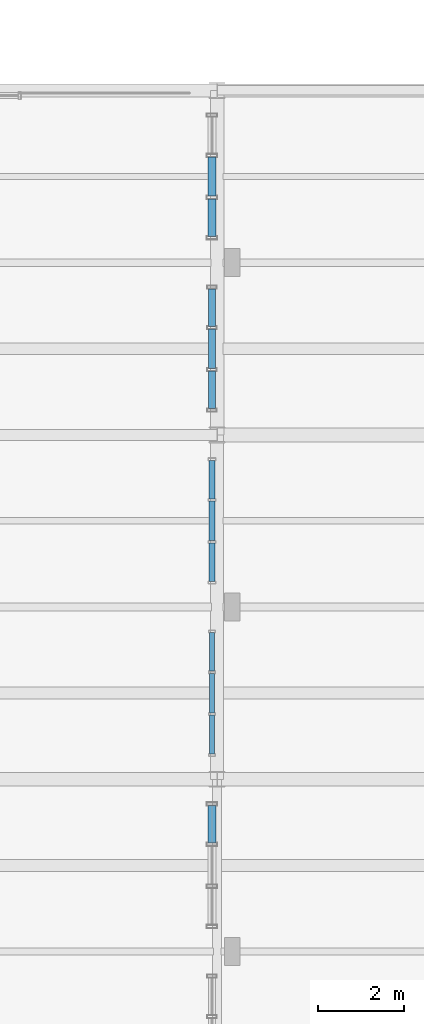
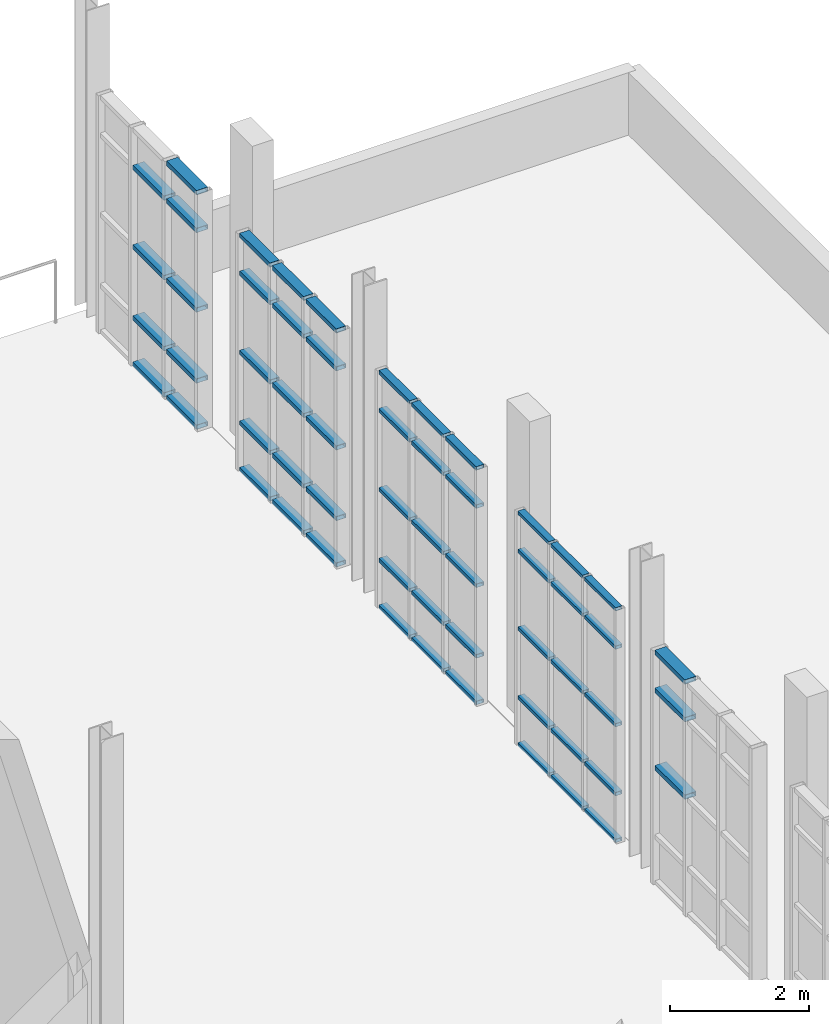
# One storey, part 101 of 142: 57 members, 5 elements without a shape of their own.
"""IFC4 building model written with IfcOpenShell, lengths in metres."""

from ifc_helpers import new_model, si_unit, direction, frame, origin, origin_2d, place, context, subcontext, project, spatial, hollow_rectangle, extrude, material, layer, layer_set, material_profile, profile_set, type_object, element, aggregate, save


model = new_model("IFC4")

# Units and contexts
model_context = context("Model", 3, precision=1e-05, world=origin(), true_north=direction((0.0, 1.0)))
body_context = subcontext(model_context, "Body", "Model", "MODEL_VIEW")
ifc_project = project(units=[si_unit("LENGTHUNIT", "METRE"), si_unit("AREAUNIT", "SQUARE_METRE"), si_unit("VOLUMEUNIT", "CUBIC_METRE"), si_unit("PLANEANGLEUNIT", "RADIAN"), si_unit("MASSUNIT", "GRAM", prefix="KILO"), si_unit("THERMODYNAMICTEMPERATUREUNIT", "KELVIN"), si_unit("POWERUNIT", "WATT")], contexts=[model_context])

# Site, building, storey
site_placement = place(None, origin())
site = spatial("IfcSite", under=ifc_project, at=site_placement, CompositionType="ELEMENT")
building_placement = place(site_placement, origin())
building = spatial("IfcBuilding", under=site, at=building_placement, Name="Zelmaris Science Centre", CompositionType="ELEMENT")
storey_placement = place(building_placement, frame((0.0, 0.0, 5.39990234375)))
storey = spatial("IfcBuildingStorey", under=building, at=storey_placement, Name="L01", CompositionType="ELEMENT", Elevation=5.39990234375)

# Curtain wall, members
ifc_material = material(Name="Anodised architectural aluminium 6063-T6", Category="aluminium")
ifc_layer_1 = layer(ifc_material, 0.219970703125, Name="Anodised architectural aluminium 6063-T6")
ifc_layer_set_1 = layer_set([ifc_layer_1], Name="Anodised architectural aluminium 6063-T6")
curtain_wall_type_1 = type_object("IfcCurtainWallType", Name="Curtain Wall CW-04", PredefinedType="USERDEFINED", material=ifc_layer_set_1)
curtain_wall_1_placement = place(storey_placement, origin())
curtain_wall_1 = element("IfcCurtainWall", 1, at=curtain_wall_1_placement, inside=storey, type_object=curtain_wall_type_1, Name="L01 Unitised curtain wall 152", ObjectType="GLAZED CURTAIN WALL", PredefinedType="USERDEFINED")
ifc_material_profile_1 = material_profile(ifc_material, hollow_rectangle(XDim=0.06005859375, YDim=0.110107421875, WallThickness=0.0029296875, at=origin_2d()), Name="ALU-TRN-60X110")
ifc_profile_set_1 = profile_set([ifc_material_profile_1], Name="Anodised architectural aluminium 6063-T6")
member_type_1 = type_object("IfcMemberType", Name="ALU-TRN-60X110", PredefinedType="USERDEFINED", material=ifc_profile_set_1)
member_1_placement = place(storey_placement, frame((143.8798828125, 43.407958984375, 0.010986328125), z_axis=(0.0, -1.0, 0.0), x_axis=(0.0, 0.0, 1.0)))
member_1 = element("IfcMember", 2, at=member_1_placement, type_object=member_type_1, Name="CW-04 transom 1.1", ObjectType="TRANSOM", PredefinedType="USERDEFINED", context=body_context, shape_type="SweptSolid", body=[
    extrude(hollow_rectangle(XDim=0.06005859375, YDim=0.110107421875, WallThickness=0.0029296875, at=origin_2d()), origin(), (0.0, 0.0, 1.0), 0.895263671875),
])
member_2_placement = place(storey_placement, frame((143.8798828125, 43.407958984375, 0.835205078125), z_axis=(0.0, -1.0, 0.0), x_axis=(0.0, 0.0, 1.0)))
member_2 = element("IfcMember", 3, at=member_2_placement, type_object=member_type_1, Name="CW-04 transom 1.2", ObjectType="TRANSOM", PredefinedType="USERDEFINED", context=body_context, shape_type="SweptSolid", body=[
    extrude(hollow_rectangle(XDim=0.06005859375, YDim=0.110107421875, WallThickness=0.0029296875, at=origin_2d()), origin(), (0.0, 0.0, 1.0), 0.895263671875),
])
member_3_placement = place(storey_placement, frame((143.8798828125, 43.407958984375, 2.049560546875), z_axis=(0.0, -1.0, 0.0), x_axis=(0.0, 0.0, 1.0)))
member_3 = element("IfcMember", 4, at=member_3_placement, type_object=member_type_1, Name="CW-04 transom 1.3", ObjectType="TRANSOM", PredefinedType="USERDEFINED", context=body_context, shape_type="SweptSolid", body=[
    extrude(hollow_rectangle(XDim=0.06005859375, YDim=0.110107421875, WallThickness=0.0029296875, at=origin_2d()), origin(), (0.0, 0.0, 1.0), 0.895263671875),
])
member_4_placement = place(storey_placement, frame((143.8798828125, 43.407958984375, 3.4140625), z_axis=(0.0, -1.0, 0.0), x_axis=(0.0, 0.0, 1.0)))
member_4 = element("IfcMember", 5, at=member_4_placement, type_object=member_type_1, Name="CW-04 transom 1.4", ObjectType="TRANSOM", PredefinedType="USERDEFINED", context=body_context, shape_type="SweptSolid", body=[
    extrude(hollow_rectangle(XDim=0.06005859375, YDim=0.110107421875, WallThickness=0.0029296875, at=origin_2d()), origin(), (0.0, 0.0, 1.0), 0.895263671875),
])
member_5_placement = place(storey_placement, frame((143.8798828125, 43.407958984375, 4.088134765625), z_axis=(0.0, -1.0, 0.0), x_axis=(0.0, 0.0, 1.0)))
member_5 = element("IfcMember", 6, at=member_5_placement, type_object=member_type_1, Name="CW-04 transom 1.5", ObjectType="TRANSOM", PredefinedType="USERDEFINED", context=body_context, shape_type="SweptSolid", body=[
    extrude(hollow_rectangle(XDim=0.06005859375, YDim=0.110107421875, WallThickness=0.0029296875, at=origin_2d()), origin(), (0.0, 0.0, 1.0), 0.895263671875),
])
member_6_placement = place(storey_placement, frame((143.8798828125, 42.460693359375, 0.010986328125), z_axis=(0.0, -1.0, 0.0), x_axis=(0.0, 0.0, 1.0)))
member_6 = element("IfcMember", 7, at=member_6_placement, type_object=member_type_1, Name="CW-04 transom 2.1", ObjectType="TRANSOM", PredefinedType="USERDEFINED", context=body_context, shape_type="SweptSolid", body=[
    extrude(hollow_rectangle(XDim=0.06005859375, YDim=0.110107421875, WallThickness=0.0029296875, at=origin_2d()), origin(), (0.0, 0.0, 1.0), 0.92138671875),
])
member_7_placement = place(storey_placement, frame((143.8798828125, 42.460693359375, 0.835205078125), z_axis=(0.0, -1.0, 0.0), x_axis=(0.0, 0.0, 1.0)))
member_7 = element("IfcMember", 8, at=member_7_placement, type_object=member_type_1, Name="CW-04 transom 2.2", ObjectType="TRANSOM", PredefinedType="USERDEFINED", context=body_context, shape_type="SweptSolid", body=[
    extrude(hollow_rectangle(XDim=0.06005859375, YDim=0.110107421875, WallThickness=0.0029296875, at=origin_2d()), origin(), (0.0, 0.0, 1.0), 0.92138671875),
])
member_8_placement = place(storey_placement, frame((143.8798828125, 42.460693359375, 2.049560546875), z_axis=(0.0, -1.0, 0.0), x_axis=(0.0, 0.0, 1.0)))
member_8 = element("IfcMember", 9, at=member_8_placement, type_object=member_type_1, Name="CW-04 transom 2.3", ObjectType="TRANSOM", PredefinedType="USERDEFINED", context=body_context, shape_type="SweptSolid", body=[
    extrude(hollow_rectangle(XDim=0.06005859375, YDim=0.110107421875, WallThickness=0.0029296875, at=origin_2d()), origin(), (0.0, 0.0, 1.0), 0.92138671875),
])
member_9_placement = place(storey_placement, frame((143.8798828125, 42.460693359375, 3.4140625), z_axis=(0.0, -1.0, 0.0), x_axis=(0.0, 0.0, 1.0)))
member_9 = element("IfcMember", 10, at=member_9_placement, type_object=member_type_1, Name="CW-04 transom 2.4", ObjectType="TRANSOM", PredefinedType="USERDEFINED", context=body_context, shape_type="SweptSolid", body=[
    extrude(hollow_rectangle(XDim=0.06005859375, YDim=0.110107421875, WallThickness=0.0029296875, at=origin_2d()), origin(), (0.0, 0.0, 1.0), 0.92138671875),
])
member_10_placement = place(storey_placement, frame((143.8798828125, 42.460693359375, 4.088134765625), z_axis=(0.0, -1.0, 0.0), x_axis=(0.0, 0.0, 1.0)))
member_10 = element("IfcMember", 11, at=member_10_placement, type_object=member_type_1, Name="CW-04 transom 2.5", ObjectType="TRANSOM", PredefinedType="USERDEFINED", context=body_context, shape_type="SweptSolid", body=[
    extrude(hollow_rectangle(XDim=0.06005859375, YDim=0.110107421875, WallThickness=0.0029296875, at=origin_2d()), origin(), (0.0, 0.0, 1.0), 0.92138671875),
])
member_11_placement = place(storey_placement, frame((143.8798828125, 41.4873046875, 0.010986328125), z_axis=(0.0, -1.0, 0.0), x_axis=(0.0, 0.0, 1.0)))
member_11 = element("IfcMember", 12, at=member_11_placement, type_object=member_type_1, Name="CW-04 transom 3.1", ObjectType="TRANSOM", PredefinedType="USERDEFINED", context=body_context, shape_type="SweptSolid", body=[
    extrude(hollow_rectangle(XDim=0.06005859375, YDim=0.110107421875, WallThickness=0.0029296875, at=origin_2d()), origin(), (0.0, 0.0, 1.0), 0.895263671875),
])
member_12_placement = place(storey_placement, frame((143.8798828125, 41.4873046875, 0.835205078125), z_axis=(0.0, -1.0, 0.0), x_axis=(0.0, 0.0, 1.0)))
member_12 = element("IfcMember", 13, at=member_12_placement, type_object=member_type_1, Name="CW-04 transom 3.2", ObjectType="TRANSOM", PredefinedType="USERDEFINED", context=body_context, shape_type="SweptSolid", body=[
    extrude(hollow_rectangle(XDim=0.06005859375, YDim=0.110107421875, WallThickness=0.0029296875, at=origin_2d()), origin(), (0.0, 0.0, 1.0), 0.895263671875),
])
member_13_placement = place(storey_placement, frame((143.8798828125, 41.4873046875, 2.049560546875), z_axis=(0.0, -1.0, 0.0), x_axis=(0.0, 0.0, 1.0)))
member_13 = element("IfcMember", 14, at=member_13_placement, type_object=member_type_1, Name="CW-04 transom 3.3", ObjectType="TRANSOM", PredefinedType="USERDEFINED", context=body_context, shape_type="SweptSolid", body=[
    extrude(hollow_rectangle(XDim=0.06005859375, YDim=0.110107421875, WallThickness=0.0029296875, at=origin_2d()), origin(), (0.0, 0.0, 1.0), 0.895263671875),
])
member_14_placement = place(storey_placement, frame((143.8798828125, 41.4873046875, 3.4140625), z_axis=(0.0, -1.0, 0.0), x_axis=(0.0, 0.0, 1.0)))
member_14 = element("IfcMember", 15, at=member_14_placement, type_object=member_type_1, Name="CW-04 transom 3.4", ObjectType="TRANSOM", PredefinedType="USERDEFINED", context=body_context, shape_type="SweptSolid", body=[
    extrude(hollow_rectangle(XDim=0.06005859375, YDim=0.110107421875, WallThickness=0.0029296875, at=origin_2d()), origin(), (0.0, 0.0, 1.0), 0.895263671875),
])
member_15_placement = place(storey_placement, frame((143.8798828125, 41.4873046875, 4.088134765625), z_axis=(0.0, -1.0, 0.0), x_axis=(0.0, 0.0, 1.0)))
member_15 = element("IfcMember", 16, at=member_15_placement, type_object=member_type_1, Name="CW-04 transom 3.5", ObjectType="TRANSOM", PredefinedType="USERDEFINED", context=body_context, shape_type="SweptSolid", body=[
    extrude(hollow_rectangle(XDim=0.06005859375, YDim=0.110107421875, WallThickness=0.0029296875, at=origin_2d()), origin(), (0.0, 0.0, 1.0), 0.895263671875),
])
aggregate(curtain_wall_1, [member_1, member_2, member_3, member_4, member_5, member_6, member_7, member_8, member_9, member_10, member_11, member_12, member_13, member_14, member_15])

ifc_layer_2 = layer(ifc_material, 0.2099609375, Name="Anodised architectural aluminium 6063-T6")
ifc_layer_set_2 = layer_set([ifc_layer_2], Name="Anodised architectural aluminium 6063-T6")
curtain_wall_type_2 = type_object("IfcCurtainWallType", Name="Curtain Wall CW-03", PredefinedType="USERDEFINED", material=ifc_layer_set_2)
curtain_wall_2_placement = place(storey_placement, origin())
curtain_wall_2 = element("IfcCurtainWall", 17, at=curtain_wall_2_placement, inside=storey, type_object=curtain_wall_type_2, Name="L01 Unitised curtain wall 151", ObjectType="GLAZED CURTAIN WALL", PredefinedType="USERDEFINED")
ifc_material_profile_2 = material_profile(ifc_material, hollow_rectangle(XDim=0.06494140625, YDim=0.1298828125, WallThickness=0.00341796875, at=origin_2d()), Name="ALU-TRN-65X130")
ifc_profile_set_2 = profile_set([ifc_material_profile_2], Name="Anodised architectural aluminium 6063-T6")
member_type_2 = type_object("IfcMemberType", Name="ALU-TRN-65X130", PredefinedType="USERDEFINED", material=ifc_profile_set_2)
member_16_placement = place(storey_placement, frame((143.8798828125, 47.403076171875, 0.013671875), z_axis=(0.0, -1.0, 0.0), x_axis=(0.0, 0.0, 1.0)))
member_16 = element("IfcMember", 18, at=member_16_placement, type_object=member_type_2, Name="CW-03 transom 1.1", ObjectType="TRANSOM", PredefinedType="USERDEFINED", context=body_context, shape_type="SweptSolid", body=[
    extrude(hollow_rectangle(XDim=0.06494140625, YDim=0.1298828125, WallThickness=0.00341796875, at=origin_2d()), origin(), (0.0, 0.0, 1.0), 0.887939453125),
])
member_17_placement = place(storey_placement, frame((143.8798828125, 47.403076171875, 0.835205078125), z_axis=(0.0, -1.0, 0.0), x_axis=(0.0, 0.0, 1.0)))
member_17 = element("IfcMember", 19, at=member_17_placement, type_object=member_type_2, Name="CW-03 transom 1.2", ObjectType="TRANSOM", PredefinedType="USERDEFINED", context=body_context, shape_type="SweptSolid", body=[
    extrude(hollow_rectangle(XDim=0.06494140625, YDim=0.1298828125, WallThickness=0.00341796875, at=origin_2d()), origin(), (0.0, 0.0, 1.0), 0.887939453125),
])
member_18_placement = place(storey_placement, frame((143.8798828125, 47.403076171875, 2.0791015625), z_axis=(0.0, -1.0, 0.0), x_axis=(0.0, 0.0, 1.0)))
member_18 = element("IfcMember", 20, at=member_18_placement, type_object=member_type_2, Name="CW-03 transom 1.3", ObjectType="TRANSOM", PredefinedType="USERDEFINED", context=body_context, shape_type="SweptSolid", body=[
    extrude(hollow_rectangle(XDim=0.06494140625, YDim=0.1298828125, WallThickness=0.00341796875, at=origin_2d()), origin(), (0.0, 0.0, 1.0), 0.887939453125),
])
member_19_placement = place(storey_placement, frame((143.8798828125, 47.403076171875, 3.47314453125), z_axis=(0.0, -1.0, 0.0), x_axis=(0.0, 0.0, 1.0)))
member_19 = element("IfcMember", 21, at=member_19_placement, type_object=member_type_2, Name="CW-03 transom 1.4", ObjectType="TRANSOM", PredefinedType="USERDEFINED", context=body_context, shape_type="SweptSolid", body=[
    extrude(hollow_rectangle(XDim=0.06494140625, YDim=0.1298828125, WallThickness=0.00341796875, at=origin_2d()), origin(), (0.0, 0.0, 1.0), 0.887939453125),
])
member_20_placement = place(storey_placement, frame((143.8798828125, 47.403076171875, 4.14453125), z_axis=(0.0, -1.0, 0.0), x_axis=(0.0, 0.0, 1.0)))
member_20 = element("IfcMember", 22, at=member_20_placement, type_object=member_type_2, Name="CW-03 transom 1.5", ObjectType="TRANSOM", PredefinedType="USERDEFINED", context=body_context, shape_type="SweptSolid", body=[
    extrude(hollow_rectangle(XDim=0.06494140625, YDim=0.1298828125, WallThickness=0.00341796875, at=origin_2d()), origin(), (0.0, 0.0, 1.0), 0.887939453125),
])
member_21_placement = place(storey_placement, frame((143.8798828125, 46.458251953125, 0.013671875), z_axis=(0.0, -1.0, 0.0), x_axis=(0.0, 0.0, 1.0)))
member_21 = element("IfcMember", 23, at=member_21_placement, type_object=member_type_2, Name="CW-03 transom 2.1", ObjectType="TRANSOM", PredefinedType="USERDEFINED", context=body_context, shape_type="SweptSolid", body=[
    extrude(hollow_rectangle(XDim=0.06494140625, YDim=0.1298828125, WallThickness=0.00341796875, at=origin_2d()), origin(), (0.0, 0.0, 1.0), 0.91650390625),
])
member_22_placement = place(storey_placement, frame((143.8798828125, 46.458251953125, 0.835205078125), z_axis=(0.0, -1.0, 0.0), x_axis=(0.0, 0.0, 1.0)))
member_22 = element("IfcMember", 24, at=member_22_placement, type_object=member_type_2, Name="CW-03 transom 2.2", ObjectType="TRANSOM", PredefinedType="USERDEFINED", context=body_context, shape_type="SweptSolid", body=[
    extrude(hollow_rectangle(XDim=0.06494140625, YDim=0.1298828125, WallThickness=0.00341796875, at=origin_2d()), origin(), (0.0, 0.0, 1.0), 0.91650390625),
])
member_23_placement = place(storey_placement, frame((143.8798828125, 46.458251953125, 2.0791015625), z_axis=(0.0, -1.0, 0.0), x_axis=(0.0, 0.0, 1.0)))
member_23 = element("IfcMember", 25, at=member_23_placement, type_object=member_type_2, Name="CW-03 transom 2.3", ObjectType="TRANSOM", PredefinedType="USERDEFINED", context=body_context, shape_type="SweptSolid", body=[
    extrude(hollow_rectangle(XDim=0.06494140625, YDim=0.1298828125, WallThickness=0.00341796875, at=origin_2d()), origin(), (0.0, 0.0, 1.0), 0.91650390625),
])
member_24_placement = place(storey_placement, frame((143.8798828125, 46.458251953125, 3.47314453125), z_axis=(0.0, -1.0, 0.0), x_axis=(0.0, 0.0, 1.0)))
member_24 = element("IfcMember", 26, at=member_24_placement, type_object=member_type_2, Name="CW-03 transom 2.4", ObjectType="TRANSOM", PredefinedType="USERDEFINED", context=body_context, shape_type="SweptSolid", body=[
    extrude(hollow_rectangle(XDim=0.06494140625, YDim=0.1298828125, WallThickness=0.00341796875, at=origin_2d()), origin(), (0.0, 0.0, 1.0), 0.91650390625),
])
member_25_placement = place(storey_placement, frame((143.8798828125, 46.458251953125, 4.14453125), z_axis=(0.0, -1.0, 0.0), x_axis=(0.0, 0.0, 1.0)))
member_25 = element("IfcMember", 27, at=member_25_placement, type_object=member_type_2, Name="CW-03 transom 2.5", ObjectType="TRANSOM", PredefinedType="USERDEFINED", context=body_context, shape_type="SweptSolid", body=[
    extrude(hollow_rectangle(XDim=0.06494140625, YDim=0.1298828125, WallThickness=0.00341796875, at=origin_2d()), origin(), (0.0, 0.0, 1.0), 0.91650390625),
])
member_26_placement = place(storey_placement, frame((143.8798828125, 45.48486328125, 0.013671875), z_axis=(0.0, -1.0, 0.0), x_axis=(0.0, 0.0, 1.0)))
member_26 = element("IfcMember", 28, at=member_26_placement, type_object=member_type_2, Name="CW-03 transom 3.1", ObjectType="TRANSOM", PredefinedType="USERDEFINED", context=body_context, shape_type="SweptSolid", body=[
    extrude(hollow_rectangle(XDim=0.06494140625, YDim=0.1298828125, WallThickness=0.00341796875, at=origin_2d()), origin(), (0.0, 0.0, 1.0), 0.887939453125),
])
member_27_placement = place(storey_placement, frame((143.8798828125, 45.48486328125, 0.835205078125), z_axis=(0.0, -1.0, 0.0), x_axis=(0.0, 0.0, 1.0)))
member_27 = element("IfcMember", 29, at=member_27_placement, type_object=member_type_2, Name="CW-03 transom 3.2", ObjectType="TRANSOM", PredefinedType="USERDEFINED", context=body_context, shape_type="SweptSolid", body=[
    extrude(hollow_rectangle(XDim=0.06494140625, YDim=0.1298828125, WallThickness=0.00341796875, at=origin_2d()), origin(), (0.0, 0.0, 1.0), 0.887939453125),
])
member_28_placement = place(storey_placement, frame((143.8798828125, 45.48486328125, 2.0791015625), z_axis=(0.0, -1.0, 0.0), x_axis=(0.0, 0.0, 1.0)))
member_28 = element("IfcMember", 30, at=member_28_placement, type_object=member_type_2, Name="CW-03 transom 3.3", ObjectType="TRANSOM", PredefinedType="USERDEFINED", context=body_context, shape_type="SweptSolid", body=[
    extrude(hollow_rectangle(XDim=0.06494140625, YDim=0.1298828125, WallThickness=0.00341796875, at=origin_2d()), origin(), (0.0, 0.0, 1.0), 0.887939453125),
])
member_29_placement = place(storey_placement, frame((143.8798828125, 45.48486328125, 3.47314453125), z_axis=(0.0, -1.0, 0.0), x_axis=(0.0, 0.0, 1.0)))
member_29 = element("IfcMember", 31, at=member_29_placement, type_object=member_type_2, Name="CW-03 transom 3.4", ObjectType="TRANSOM", PredefinedType="USERDEFINED", context=body_context, shape_type="SweptSolid", body=[
    extrude(hollow_rectangle(XDim=0.06494140625, YDim=0.1298828125, WallThickness=0.00341796875, at=origin_2d()), origin(), (0.0, 0.0, 1.0), 0.887939453125),
])
member_30_placement = place(storey_placement, frame((143.8798828125, 45.48486328125, 4.14453125), z_axis=(0.0, -1.0, 0.0), x_axis=(0.0, 0.0, 1.0)))
member_30 = element("IfcMember", 32, at=member_30_placement, type_object=member_type_2, Name="CW-03 transom 3.5", ObjectType="TRANSOM", PredefinedType="USERDEFINED", context=body_context, shape_type="SweptSolid", body=[
    extrude(hollow_rectangle(XDim=0.06494140625, YDim=0.1298828125, WallThickness=0.00341796875, at=origin_2d()), origin(), (0.0, 0.0, 1.0), 0.887939453125),
])
aggregate(curtain_wall_2, [member_16, member_17, member_18, member_19, member_20, member_21, member_22, member_23, member_24, member_25, member_26, member_27, member_28, member_29, member_30])

ifc_layer_3 = layer(ifc_material, 0.199951171875, Name="Anodised architectural aluminium 6063-T6")
ifc_layer_set_3 = layer_set([ifc_layer_3], Name="Anodised architectural aluminium 6063-T6")
curtain_wall_type_3 = type_object("IfcCurtainWallType", Name="Curtain Wall CW-02", PredefinedType="USERDEFINED", material=ifc_layer_set_3)
curtain_wall_3_placement = place(storey_placement, origin())
curtain_wall_3 = element("IfcCurtainWall", 33, at=curtain_wall_3_placement, inside=storey, type_object=curtain_wall_type_3, Name="L01 Unitised curtain wall 150", ObjectType="GLAZED CURTAIN WALL", PredefinedType="USERDEFINED")
ifc_material_profile_3 = material_profile(ifc_material, hollow_rectangle(XDim=0.074951171875, YDim=0.159912109375, WallThickness=0.00390625, at=origin_2d()), Name="ALU-TRN-75X160")
ifc_profile_set_3 = profile_set([ifc_material_profile_3], Name="Anodised architectural aluminium 6063-T6")
member_type_3 = type_object("IfcMemberType", Name="ALU-TRN-75X160", PredefinedType="USERDEFINED", material=ifc_profile_set_3)
member_31_placement = place(storey_placement, frame((143.8798828125, 51.39306640625, 0.0185546875), z_axis=(0.0, -1.0, 0.0), x_axis=(0.0, 0.0, 1.0)))
member_31 = element("IfcMember", 34, at=member_31_placement, type_object=member_type_3, Name="CW-02 transom 1.1", ObjectType="TRANSOM", PredefinedType="USERDEFINED", context=body_context, shape_type="SweptSolid", body=[
    extrude(hollow_rectangle(XDim=0.074951171875, YDim=0.159912109375, WallThickness=0.00390625, at=origin_2d()), origin(), (0.0, 0.0, 1.0), 0.872802734375),
])
member_32_placement = place(storey_placement, frame((143.8798828125, 51.39306640625, 0.835205078125), z_axis=(0.0, -1.0, 0.0), x_axis=(0.0, 0.0, 1.0)))
member_32 = element("IfcMember", 35, at=member_32_placement, type_object=member_type_3, Name="CW-02 transom 1.2", ObjectType="TRANSOM", PredefinedType="USERDEFINED", context=body_context, shape_type="SweptSolid", body=[
    extrude(hollow_rectangle(XDim=0.074951171875, YDim=0.159912109375, WallThickness=0.00390625, at=origin_2d()), origin(), (0.0, 0.0, 1.0), 0.872802734375),
])
member_33_placement = place(storey_placement, frame((143.8798828125, 51.39306640625, 2.0791015625), z_axis=(0.0, -1.0, 0.0), x_axis=(0.0, 0.0, 1.0)))
member_33 = element("IfcMember", 36, at=member_33_placement, type_object=member_type_3, Name="CW-02 transom 1.3", ObjectType="TRANSOM", PredefinedType="USERDEFINED", context=body_context, shape_type="SweptSolid", body=[
    extrude(hollow_rectangle(XDim=0.074951171875, YDim=0.159912109375, WallThickness=0.00390625, at=origin_2d()), origin(), (0.0, 0.0, 1.0), 0.872802734375),
])
member_34_placement = place(storey_placement, frame((143.8798828125, 51.39306640625, 3.47314453125), z_axis=(0.0, -1.0, 0.0), x_axis=(0.0, 0.0, 1.0)))
member_34 = element("IfcMember", 37, at=member_34_placement, type_object=member_type_3, Name="CW-02 transom 1.4", ObjectType="TRANSOM", PredefinedType="USERDEFINED", context=body_context, shape_type="SweptSolid", body=[
    extrude(hollow_rectangle(XDim=0.074951171875, YDim=0.159912109375, WallThickness=0.00390625, at=origin_2d()), origin(), (0.0, 0.0, 1.0), 0.872802734375),
])
member_35_placement = place(storey_placement, frame((143.8798828125, 51.39306640625, 4.1396484375), z_axis=(0.0, -1.0, 0.0), x_axis=(0.0, 0.0, 1.0)))
member_35 = element("IfcMember", 38, at=member_35_placement, type_object=member_type_3, Name="CW-02 transom 1.5", ObjectType="TRANSOM", PredefinedType="USERDEFINED", context=body_context, shape_type="SweptSolid", body=[
    extrude(hollow_rectangle(XDim=0.074951171875, YDim=0.159912109375, WallThickness=0.00390625, at=origin_2d()), origin(), (0.0, 0.0, 1.0), 0.872802734375),
])
member_36_placement = place(storey_placement, frame((143.8798828125, 50.453125, 0.0185546875), z_axis=(0.0, -1.0, 0.0), x_axis=(0.0, 0.0, 1.0)))
member_36 = element("IfcMember", 39, at=member_36_placement, type_object=member_type_3, Name="CW-02 transom 2.1", ObjectType="TRANSOM", PredefinedType="USERDEFINED", context=body_context, shape_type="SweptSolid", body=[
    extrude(hollow_rectangle(XDim=0.074951171875, YDim=0.159912109375, WallThickness=0.00390625, at=origin_2d()), origin(), (0.0, 0.0, 1.0), 0.90625),
])
member_37_placement = place(storey_placement, frame((143.8798828125, 50.453125, 0.835205078125), z_axis=(0.0, -1.0, 0.0), x_axis=(0.0, 0.0, 1.0)))
member_37 = element("IfcMember", 40, at=member_37_placement, type_object=member_type_3, Name="CW-02 transom 2.2", ObjectType="TRANSOM", PredefinedType="USERDEFINED", context=body_context, shape_type="SweptSolid", body=[
    extrude(hollow_rectangle(XDim=0.074951171875, YDim=0.159912109375, WallThickness=0.00390625, at=origin_2d()), origin(), (0.0, 0.0, 1.0), 0.90625),
])
member_38_placement = place(storey_placement, frame((143.8798828125, 50.453125, 2.0791015625), z_axis=(0.0, -1.0, 0.0), x_axis=(0.0, 0.0, 1.0)))
member_38 = element("IfcMember", 41, at=member_38_placement, type_object=member_type_3, Name="CW-02 transom 2.3", ObjectType="TRANSOM", PredefinedType="USERDEFINED", context=body_context, shape_type="SweptSolid", body=[
    extrude(hollow_rectangle(XDim=0.074951171875, YDim=0.159912109375, WallThickness=0.00390625, at=origin_2d()), origin(), (0.0, 0.0, 1.0), 0.90625),
])
member_39_placement = place(storey_placement, frame((143.8798828125, 50.453125, 3.47314453125), z_axis=(0.0, -1.0, 0.0), x_axis=(0.0, 0.0, 1.0)))
member_39 = element("IfcMember", 42, at=member_39_placement, type_object=member_type_3, Name="CW-02 transom 2.4", ObjectType="TRANSOM", PredefinedType="USERDEFINED", context=body_context, shape_type="SweptSolid", body=[
    extrude(hollow_rectangle(XDim=0.074951171875, YDim=0.159912109375, WallThickness=0.00390625, at=origin_2d()), origin(), (0.0, 0.0, 1.0), 0.90625),
])
member_40_placement = place(storey_placement, frame((143.8798828125, 50.453125, 4.1396484375), z_axis=(0.0, -1.0, 0.0), x_axis=(0.0, 0.0, 1.0)))
member_40 = element("IfcMember", 43, at=member_40_placement, type_object=member_type_3, Name="CW-02 transom 2.5", ObjectType="TRANSOM", PredefinedType="USERDEFINED", context=body_context, shape_type="SweptSolid", body=[
    extrude(hollow_rectangle(XDim=0.074951171875, YDim=0.159912109375, WallThickness=0.00390625, at=origin_2d()), origin(), (0.0, 0.0, 1.0), 0.90625),
])
member_41_placement = place(storey_placement, frame((143.8798828125, 49.479736328125, 0.0185546875), z_axis=(0.0, -1.0, 0.0), x_axis=(0.0, 0.0, 1.0)))
member_41 = element("IfcMember", 44, at=member_41_placement, type_object=member_type_3, Name="CW-02 transom 3.1", ObjectType="TRANSOM", PredefinedType="USERDEFINED", context=body_context, shape_type="SweptSolid", body=[
    extrude(hollow_rectangle(XDim=0.074951171875, YDim=0.159912109375, WallThickness=0.00390625, at=origin_2d()), origin(), (0.0, 0.0, 1.0), 0.872802734375),
])
member_42_placement = place(storey_placement, frame((143.8798828125, 49.479736328125, 0.835205078125), z_axis=(0.0, -1.0, 0.0), x_axis=(0.0, 0.0, 1.0)))
member_42 = element("IfcMember", 45, at=member_42_placement, type_object=member_type_3, Name="CW-02 transom 3.2", ObjectType="TRANSOM", PredefinedType="USERDEFINED", context=body_context, shape_type="SweptSolid", body=[
    extrude(hollow_rectangle(XDim=0.074951171875, YDim=0.159912109375, WallThickness=0.00390625, at=origin_2d()), origin(), (0.0, 0.0, 1.0), 0.872802734375),
])
member_43_placement = place(storey_placement, frame((143.8798828125, 49.479736328125, 2.0791015625), z_axis=(0.0, -1.0, 0.0), x_axis=(0.0, 0.0, 1.0)))
member_43 = element("IfcMember", 46, at=member_43_placement, type_object=member_type_3, Name="CW-02 transom 3.3", ObjectType="TRANSOM", PredefinedType="USERDEFINED", context=body_context, shape_type="SweptSolid", body=[
    extrude(hollow_rectangle(XDim=0.074951171875, YDim=0.159912109375, WallThickness=0.00390625, at=origin_2d()), origin(), (0.0, 0.0, 1.0), 0.872802734375),
])
member_44_placement = place(storey_placement, frame((143.8798828125, 49.479736328125, 3.47314453125), z_axis=(0.0, -1.0, 0.0), x_axis=(0.0, 0.0, 1.0)))
member_44 = element("IfcMember", 47, at=member_44_placement, type_object=member_type_3, Name="CW-02 transom 3.4", ObjectType="TRANSOM", PredefinedType="USERDEFINED", context=body_context, shape_type="SweptSolid", body=[
    extrude(hollow_rectangle(XDim=0.074951171875, YDim=0.159912109375, WallThickness=0.00390625, at=origin_2d()), origin(), (0.0, 0.0, 1.0), 0.872802734375),
])
member_45_placement = place(storey_placement, frame((143.8798828125, 49.479736328125, 4.1396484375), z_axis=(0.0, -1.0, 0.0), x_axis=(0.0, 0.0, 1.0)))
member_45 = element("IfcMember", 48, at=member_45_placement, type_object=member_type_3, Name="CW-02 transom 3.5", ObjectType="TRANSOM", PredefinedType="USERDEFINED", context=body_context, shape_type="SweptSolid", body=[
    extrude(hollow_rectangle(XDim=0.074951171875, YDim=0.159912109375, WallThickness=0.00390625, at=origin_2d()), origin(), (0.0, 0.0, 1.0), 0.872802734375),
])
aggregate(curtain_wall_3, [member_31, member_32, member_33, member_34, member_35, member_36, member_37, member_38, member_39, member_40, member_41, member_42, member_43, member_44, member_45])

ifc_layer_4 = layer(ifc_material, 0.18994140625, Name="Anodised architectural aluminium 6063-T6")
ifc_layer_set_4 = layer_set([ifc_layer_4], Name="Anodised architectural aluminium 6063-T6")
curtain_wall_type_4 = type_object("IfcCurtainWallType", Name="Curtain Wall CW-01", PredefinedType="USERDEFINED", material=ifc_layer_set_4)
curtain_wall_4_placement = place(storey_placement, origin())
curtain_wall_4 = element("IfcCurtainWall", 49, at=curtain_wall_4_placement, inside=storey, type_object=curtain_wall_type_4, Name="L01 Unitised curtain wall 149", ObjectType="GLAZED CURTAIN WALL", PredefinedType="USERDEFINED")
ifc_material_profile_4 = material_profile(ifc_material, hollow_rectangle(XDim=0.080078125, YDim=0.18994140625, WallThickness=0.00439453125, at=origin_2d()), Name="ALU-TRN-80X190")
ifc_profile_set_4 = profile_set([ifc_material_profile_4], Name="Anodised architectural aluminium 6063-T6")
member_type_4 = type_object("IfcMemberType", Name="ALU-TRN-80X190", PredefinedType="USERDEFINED", material=ifc_profile_set_4)
member_46_placement = place(storey_placement, frame((143.8798828125, 54.45068359375, 0.02099609375), z_axis=(0.0, -1.0, 0.0), x_axis=(0.0, 0.0, 1.0)))
member_46 = element("IfcMember", 50, at=member_46_placement, type_object=member_type_4, Name="CW-01 transom 2.1", ObjectType="TRANSOM", PredefinedType="USERDEFINED", context=body_context, shape_type="SweptSolid", body=[
    extrude(hollow_rectangle(XDim=0.080078125, YDim=0.18994140625, WallThickness=0.00439453125, at=origin_2d()), origin(), (0.0, 0.0, 1.0), 0.9013671875),
])
member_47_placement = place(storey_placement, frame((143.8798828125, 54.45068359375, 0.835205078125), z_axis=(0.0, -1.0, 0.0), x_axis=(0.0, 0.0, 1.0)))
member_47 = element("IfcMember", 51, at=member_47_placement, type_object=member_type_4, Name="CW-01 transom 2.2", ObjectType="TRANSOM", PredefinedType="USERDEFINED", context=body_context, shape_type="SweptSolid", body=[
    extrude(hollow_rectangle(XDim=0.080078125, YDim=0.18994140625, WallThickness=0.00439453125, at=origin_2d()), origin(), (0.0, 0.0, 1.0), 0.9013671875),
])
member_48_placement = place(storey_placement, frame((143.8798828125, 54.45068359375, 2.085693359375), z_axis=(0.0, -1.0, 0.0), x_axis=(0.0, 0.0, 1.0)))
member_48 = element("IfcMember", 52, at=member_48_placement, type_object=member_type_4, Name="CW-01 transom 2.3", ObjectType="TRANSOM", PredefinedType="USERDEFINED", context=body_context, shape_type="SweptSolid", body=[
    extrude(hollow_rectangle(XDim=0.080078125, YDim=0.18994140625, WallThickness=0.00439453125, at=origin_2d()), origin(), (0.0, 0.0, 1.0), 0.9013671875),
])
member_49_placement = place(storey_placement, frame((143.8798828125, 54.45068359375, 3.486083984375), z_axis=(0.0, -1.0, 0.0), x_axis=(0.0, 0.0, 1.0)))
member_49 = element("IfcMember", 53, at=member_49_placement, type_object=member_type_4, Name="CW-01 transom 2.4", ObjectType="TRANSOM", PredefinedType="USERDEFINED", context=body_context, shape_type="SweptSolid", body=[
    extrude(hollow_rectangle(XDim=0.080078125, YDim=0.18994140625, WallThickness=0.00439453125, at=origin_2d()), origin(), (0.0, 0.0, 1.0), 0.9013671875),
])
member_50_placement = place(storey_placement, frame((143.8798828125, 53.477294921875, 0.02099609375), z_axis=(0.0, -1.0, 0.0), x_axis=(0.0, 0.0, 1.0)))
member_50 = element("IfcMember", 54, at=member_50_placement, type_object=member_type_4, Name="CW-01 transom 3.1", ObjectType="TRANSOM", PredefinedType="USERDEFINED", context=body_context, shape_type="SweptSolid", body=[
    extrude(hollow_rectangle(XDim=0.080078125, YDim=0.18994140625, WallThickness=0.00439453125, at=origin_2d()), origin(), (0.0, 0.0, 1.0), 0.865234375),
])
member_51_placement = place(storey_placement, frame((143.8798828125, 53.477294921875, 0.835205078125), z_axis=(0.0, -1.0, 0.0), x_axis=(0.0, 0.0, 1.0)))
member_51 = element("IfcMember", 55, at=member_51_placement, type_object=member_type_4, Name="CW-01 transom 3.2", ObjectType="TRANSOM", PredefinedType="USERDEFINED", context=body_context, shape_type="SweptSolid", body=[
    extrude(hollow_rectangle(XDim=0.080078125, YDim=0.18994140625, WallThickness=0.00439453125, at=origin_2d()), origin(), (0.0, 0.0, 1.0), 0.865234375),
])
member_52_placement = place(storey_placement, frame((143.8798828125, 53.477294921875, 2.085693359375), z_axis=(0.0, -1.0, 0.0), x_axis=(0.0, 0.0, 1.0)))
member_52 = element("IfcMember", 56, at=member_52_placement, type_object=member_type_4, Name="CW-01 transom 3.3", ObjectType="TRANSOM", PredefinedType="USERDEFINED", context=body_context, shape_type="SweptSolid", body=[
    extrude(hollow_rectangle(XDim=0.080078125, YDim=0.18994140625, WallThickness=0.00439453125, at=origin_2d()), origin(), (0.0, 0.0, 1.0), 0.865234375),
])
member_53_placement = place(storey_placement, frame((143.8798828125, 53.477294921875, 3.486083984375), z_axis=(0.0, -1.0, 0.0), x_axis=(0.0, 0.0, 1.0)))
member_53 = element("IfcMember", 57, at=member_53_placement, type_object=member_type_4, Name="CW-01 transom 3.4", ObjectType="TRANSOM", PredefinedType="USERDEFINED", context=body_context, shape_type="SweptSolid", body=[
    extrude(hollow_rectangle(XDim=0.080078125, YDim=0.18994140625, WallThickness=0.00439453125, at=origin_2d()), origin(), (0.0, 0.0, 1.0), 0.865234375),
])
member_54_placement = place(storey_placement, frame((143.8798828125, 53.477294921875, 4.150146484375), z_axis=(0.0, -1.0, 0.0), x_axis=(0.0, 0.0, 1.0)))
member_54 = element("IfcMember", 58, at=member_54_placement, type_object=member_type_4, Name="CW-01 transom 3.5", ObjectType="TRANSOM", PredefinedType="USERDEFINED", context=body_context, shape_type="SweptSolid", body=[
    extrude(hollow_rectangle(XDim=0.080078125, YDim=0.18994140625, WallThickness=0.00439453125, at=origin_2d()), origin(), (0.0, 0.0, 1.0), 0.865234375),
])
aggregate(curtain_wall_4, [member_46, member_47, member_48, member_49, member_50, member_51, member_52, member_53, member_54])

curtain_wall_5_placement = place(storey_placement, origin())
curtain_wall_5 = element("IfcCurtainWall", 59, at=curtain_wall_5_placement, inside=storey, type_object=curtain_wall_type_4, Name="L01 Unitised curtain wall 153", ObjectType="GLAZED CURTAIN WALL", PredefinedType="USERDEFINED")
member_55_placement = place(storey_placement, frame((143.8798828125, 39.387939453125, 2.049560546875), z_axis=(0.0, -1.0, 0.0), x_axis=(0.0, 0.0, 1.0)))
member_55 = element("IfcMember", 60, at=member_55_placement, type_object=member_type_4, Name="CW-01 transom 1.3", ObjectType="TRANSOM", PredefinedType="USERDEFINED", context=body_context, shape_type="SweptSolid", body=[
    extrude(hollow_rectangle(XDim=0.080078125, YDim=0.18994140625, WallThickness=0.00439453125, at=origin_2d()), origin(), (0.0, 0.0, 1.0), 0.865234375),
])
member_56_placement = place(storey_placement, frame((143.8798828125, 39.387939453125, 3.4140625), z_axis=(0.0, -1.0, 0.0), x_axis=(0.0, 0.0, 1.0)))
member_56 = element("IfcMember", 61, at=member_56_placement, type_object=member_type_4, Name="CW-01 transom 1.4", ObjectType="TRANSOM", PredefinedType="USERDEFINED", context=body_context, shape_type="SweptSolid", body=[
    extrude(hollow_rectangle(XDim=0.080078125, YDim=0.18994140625, WallThickness=0.00439453125, at=origin_2d()), origin(), (0.0, 0.0, 1.0), 0.865234375),
])
member_57_placement = place(storey_placement, frame((143.8798828125, 39.387939453125, 4.078125), z_axis=(0.0, -1.0, 0.0), x_axis=(0.0, 0.0, 1.0)))
member_57 = element("IfcMember", 62, at=member_57_placement, type_object=member_type_4, Name="CW-01 transom 1.5", ObjectType="TRANSOM", PredefinedType="USERDEFINED", context=body_context, shape_type="SweptSolid", body=[
    extrude(hollow_rectangle(XDim=0.080078125, YDim=0.18994140625, WallThickness=0.00439453125, at=origin_2d()), origin(), (0.0, 0.0, 1.0), 0.865234375),
])
aggregate(curtain_wall_5, [member_55, member_56, member_57])

save(model, "model.ifc")
